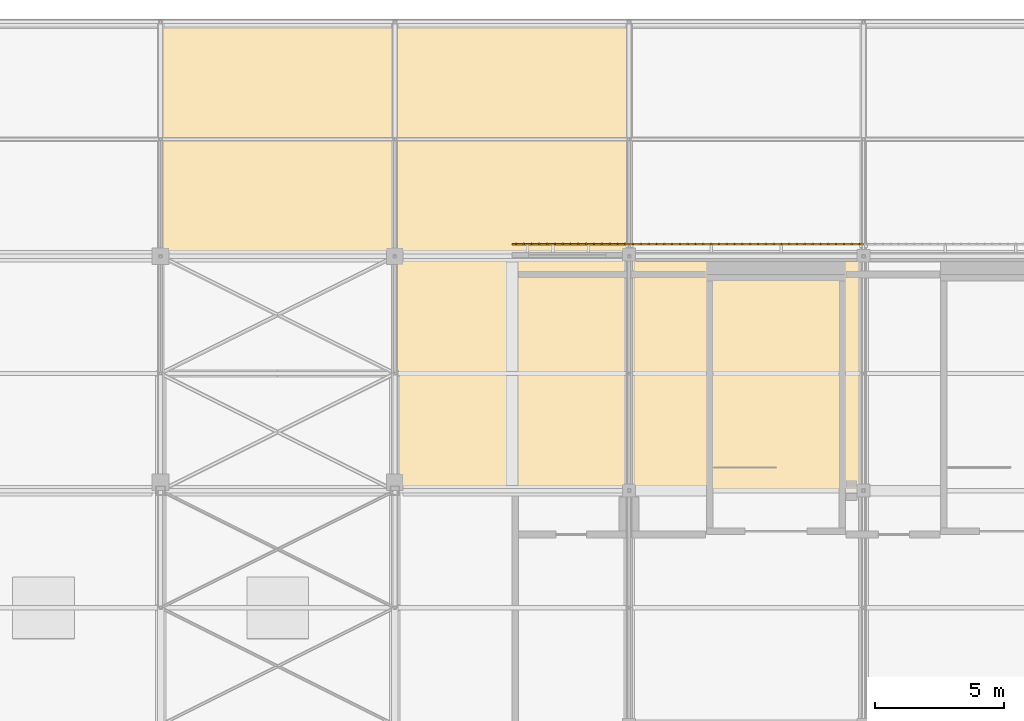
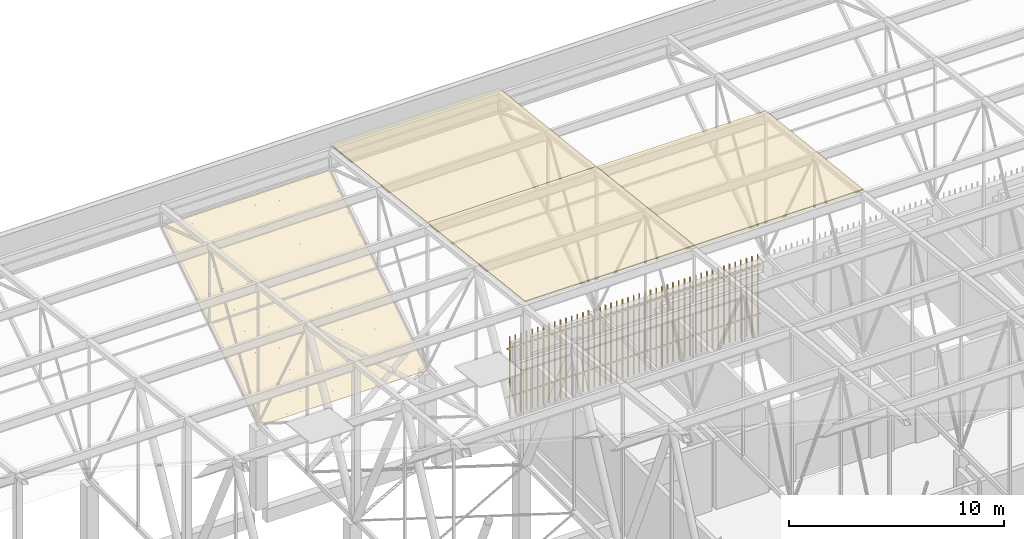
# One storey, part 482 of 500: 4 coverings, 2 shading devices.
"""IFC4 building model written with IfcOpenShell, lengths in metres."""

import ifcopenshell
import ifcopenshell.guid

model = None  # the IFC model being written
_history = None  # IfcOwnerHistory: only IFC2X3 demands one
_inside = {}  # id of a spatial element -> (the spatial element, [elements in it])
_under = {}  # id of a project, library or spatial element -> (it, [spatial elements below it])
_declared = {}  # id of a project -> (the project, [libraries it declares])
_typed = {}  # id of a type object -> (the type object, [elements of that type])
_made_of = {}  # id of a material, layer set ... -> (it, [elements and type objects made of it])


def new_model(schema):
    """Start an empty IFC model of exactly this schema.

    Asked for "IFC4X3", IfcOpenShell would pick the latest addendum, in which some entities
    have other attributes; the version numbers below select the first issue.
    IFC2X3 requires an IfcOwnerHistory on every rooted entity: one is made here for all.
    """
    global model, _history
    if schema == "IFC4X3":
        model = ifcopenshell.file(schema_version=(4, 3, 0, 0))
    else:
        model = ifcopenshell.file(schema=schema)
    _inside.clear()
    _under.clear()
    _declared.clear()
    _typed.clear()
    _made_of.clear()
    _history = None
    if model.schema == "IFC2X3":
        org = make("IfcOrganization", Name="unknown")
        user = make(
            "IfcPersonAndOrganization",
            ThePerson=make("IfcPerson", FamilyName="unknown"),
            TheOrganization=org,
        )
        app = make(
            "IfcApplication",
            ApplicationDeveloper=org,
            Version="unknown",
            ApplicationFullName="unknown",
            ApplicationIdentifier="unknown",
        )
        _history = make(
            "IfcOwnerHistory",
            OwningUser=user,
            OwningApplication=app,
            ChangeAction="ADDED",
            CreationDate=0,
        )
    return model


def make(cls, **values):
    """One entity of the class cls with the attributes given. An attribute that is None is left unset."""
    return model.create_entity(
        cls, **{name: value for name, value in values.items() if value is not None}
    )


def rooted(cls, **values):
    """An entity with a GlobalId (a new one), such as an element, a storey or a relation."""
    return make(cls, GlobalId=ifcopenshell.guid.new(), OwnerHistory=_history, **values)


def si_unit(unit_type, name, prefix=None):
    """IfcSIUnit, for example si_unit("LENGTHUNIT", "METRE", prefix="MILLI")."""
    return make("IfcSIUnit", UnitType=unit_type, Prefix=prefix, Name=name)


def assignment(units):
    """IfcUnitAssignment: the units of a project."""
    return None if units is None else make("IfcUnitAssignment", Units=units)


def point(xyz):
    """IfcCartesianPoint."""
    return None if xyz is None else make("IfcCartesianPoint", Coordinates=xyz)


def direction(xyz):
    """IfcDirection."""
    return None if xyz is None else make("IfcDirection", DirectionRatios=xyz)


def frame(location, z_axis=None, x_axis=None):
    """IfcAxis2Placement3D, a coordinate frame: its origin and axes. An axis left out is left unset."""
    return make(
        "IfcAxis2Placement3D",
        Location=point(location),
        Axis=direction(z_axis),
        RefDirection=direction(x_axis),
    )


def frame_2d(location, x_axis=None):
    """IfcAxis2Placement2D, a coordinate frame in the plane: its origin and x axis."""
    return make(
        "IfcAxis2Placement2D", Location=point(location), RefDirection=direction(x_axis)
    )


def origin():
    """The frame at (0, 0, 0) with its axes left unset."""
    return frame((0.0, 0.0, 0.0))


def origin_2d():
    """The frame at (0, 0) in the plane with its x axis left unset."""
    return frame_2d((0.0, 0.0))


def place(relative_to, where):
    """IfcLocalPlacement: puts the frame where relative to a parent placement (None: the world)."""
    return make(
        "IfcLocalPlacement", PlacementRelTo=relative_to, RelativePlacement=where
    )


def context(
    kind, dimensions, precision=None, world=None, true_north=None, identifier=None
):
    """IfcGeometricRepresentationContext, for example the 3D "Model" context."""
    return make(
        "IfcGeometricRepresentationContext",
        ContextIdentifier=identifier,
        ContextType=kind,
        CoordinateSpaceDimension=dimensions,
        Precision=precision,
        WorldCoordinateSystem=world,
        TrueNorth=true_north,
    )


def subcontext(parent, identifier, kind, view, scale=None):
    """IfcGeometricRepresentationSubContext, for example "Body" below "Model"."""
    return make(
        "IfcGeometricRepresentationSubContext",
        ContextIdentifier=identifier,
        ContextType=kind,
        ParentContext=parent,
        TargetScale=scale,
        TargetView=view,
    )


def project(units=None, contexts=None):
    """IfcProject with its units and contexts."""
    return rooted(
        "IfcProject",
        Name="project",
        RepresentationContexts=contexts,
        UnitsInContext=assignment(units),
    )


def spatial(cls, under=None, at=None, **own):
    """A site, building, storey or space (cls), placed at a placement, below another one or the project."""
    s = rooted(cls, ObjectPlacement=at, **own)
    if under is not None:
        _under.setdefault(under.id(), (under, []))[1].append(s)
    return s


def polyline(points):
    """IfcPolyline through the points."""
    return make("IfcPolyline", Points=[point(p) for p in points])


def profile(cls, at=None, kind="AREA", **sizes):
    """A parametric profile (cls). Its sizes go by their IFC names, for example OverallWidth=200.0."""
    return make(cls, ProfileType=kind, Position=at, **sizes)


def rectangle(**sizes):
    """IfcRectangleProfileDef."""
    return profile("IfcRectangleProfileDef", **sizes)


def outline(outer, holes=None, kind="AREA"):
    """IfcArbitraryClosedProfileDef: a profile drawn as a closed curve; with holes, ...WithVoids."""
    if holes is None:
        return make("IfcArbitraryClosedProfileDef", ProfileType=kind, OuterCurve=outer)
    return make(
        "IfcArbitraryProfileDefWithVoids",
        ProfileType=kind,
        OuterCurve=outer,
        InnerCurves=holes,
    )


def extrude(swept, where, along, depth):
    """IfcExtrudedAreaSolid: the profile swept, set in the frame where, extruded along a direction by depth."""
    return make(
        "IfcExtrudedAreaSolid",
        SweptArea=swept,
        Position=where,
        ExtrudedDirection=direction(along),
        Depth=depth,
    )


def shape(context_of_items, identifier, shape_type, items):
    """IfcShapeRepresentation: the items that make up one representation, for example the "Body"."""
    return make(
        "IfcShapeRepresentation",
        ContextOfItems=context_of_items,
        RepresentationIdentifier=identifier,
        RepresentationType=shape_type,
        Items=items,
    )


def material(Name=None, Category=None):
    """IfcMaterial."""
    return make("IfcMaterial", Name=Name, Category=Category)


def layer(
    of_material, thickness, ventilated=None, Name=None, Category=None, Priority=None
):
    """IfcMaterialLayer: one layer of a wall or slab, of a material (None: an air gap)."""
    return make(
        "IfcMaterialLayer",
        Material=of_material,
        LayerThickness=thickness,
        IsVentilated=ventilated,
        Name=Name,
        Category=Category,
        Priority=Priority,
    )


def layer_set(layers, Name=None):
    """IfcMaterialLayerSet."""
    return make("IfcMaterialLayerSet", MaterialLayers=layers, LayerSetName=Name)


def made_of(thing, what):
    """Note that an element or type object is made of a material, layer set ...; save() writes the relation."""
    if what is not None:
        _made_of.setdefault(what.id(), (what, []))[1].append(thing)
    return thing


def type_object(cls, material=None, **own):
    """A type object (cls), such as IfcWallType, which elements share."""
    return made_of(rooted(cls, **own), material)


def element(
    cls,
    number,
    at=None,
    inside=None,
    cuts=None,
    type_object=None,
    material=None,
    context=None,
    identifier="Body",
    shape_type=None,
    held_by="IfcProductDefinitionShape",
    body=None,
    shapes=None,
    **own,
):
    """One element of the class cls, such as IfcWall. Its Tag is "e" and its number.

    at: its placement. inside: the storey or other place that contains it. cuts: it is an
    opening in that element (IfcRelVoidsElement). A single representation is given by context,
    identifier, shape_type and body (its items); several are given by shapes. held_by: the class
    of the entity that holds the representations. save() writes the other relations.
    """
    e = rooted(cls, Tag="e%d" % number, ObjectPlacement=at, **own)
    if body is not None:
        shapes = [shape(context, identifier, shape_type, body)]
    if shapes is not None:
        e.Representation = make(held_by, Representations=shapes)
    if inside is not None:
        _inside.setdefault(inside.id(), (inside, []))[1].append(e)
    if cuts is not None:
        rooted(
            "IfcRelVoidsElement", RelatingBuildingElement=cuts, RelatedOpeningElement=e
        )
    if type_object is not None:
        _typed.setdefault(type_object.id(), (type_object, []))[1].append(e)
    return made_of(e, material)


def aggregate(whole, parts):
    """IfcRelAggregates: a whole, such as a stair, and the parts it consists of."""
    return rooted("IfcRelAggregates", RelatingObject=whole, RelatedObjects=parts)


def save(model, path):
    """Write the relations noted so far, then the file.

    IfcRelAggregates (storeys below a building ...), IfcRelContainedInSpatialStructure (elements
    in a storey), IfcRelDefinesByType, IfcRelAssociatesMaterial and IfcRelDeclares: one each for
    every whole, place, type object, material and project.
    """
    for whole, parts in _under.values():
        aggregate(whole, parts)
    for where, things in _inside.values():
        rooted(
            "IfcRelContainedInSpatialStructure",
            RelatedElements=things,
            RelatingStructure=where,
        )
    for kind, things in _typed.values():
        rooted("IfcRelDefinesByType", RelatedObjects=things, RelatingType=kind)
    for what, things in _made_of.values():
        rooted("IfcRelAssociatesMaterial", RelatedObjects=things, RelatingMaterial=what)
    for by, libraries in _declared.values():
        rooted("IfcRelDeclares", RelatingContext=by, RelatedDefinitions=libraries)
    model.write(path)


model = new_model("IFC4")

# Units and contexts
model_context = context("Model", 3, precision=1e-05, world=origin(), true_north=direction((0.0, 1.0)))
body_context = subcontext(model_context, "Body", "Model", "MODEL_VIEW")
ifc_project = project(units=[si_unit("LENGTHUNIT", "METRE"), si_unit("AREAUNIT", "SQUARE_METRE"), si_unit("VOLUMEUNIT", "CUBIC_METRE"), si_unit("PLANEANGLEUNIT", "RADIAN"), si_unit("MASSUNIT", "GRAM", prefix="KILO")], contexts=[model_context])

# Site, building, storey
site_placement = place(None, origin())
site = spatial("IfcSite", under=ifc_project, at=site_placement, CompositionType="ELEMENT")
building_placement = place(site_placement, origin())
building = spatial("IfcBuilding", under=site, at=building_placement, Name="Shirokan Park Arena", CompositionType="ELEMENT")
storey_placement = place(building_placement, frame((0.0, 0.0, 29.1201171875)))
storey = spatial("IfcBuildingStorey", under=building, at=storey_placement, Name="L06", CompositionType="ELEMENT", Elevation=29.1201171875)

# Coverings
ifc_material_1 = material(Name="Bituminous roofing membrane")
ifc_layer_1 = layer(ifc_material_1, 0.010009765625, Name="Bituminous roofing membrane")
ifc_material_2 = material(Name="Mineral wool insulation")
ifc_layer_2 = layer(ifc_material_2, 0.050048828125, Name="Mineral wool insulation")
ifc_layer_set_1 = layer_set([ifc_layer_1, ifc_layer_2], Name="Bituminous roofing membrane + Mineral wool insulation")
covering_type_1 = type_object("IfcCoveringType", Name="Roofing membrane 60", PredefinedType="ROOFING", material=ifc_layer_set_1)
covering_1_placement = place(storey_placement, frame((100.10009765625, 100.10009765625, 13.970703125), z_axis=(0.0, 0.113552605302, 0.993531985308), x_axis=(1.0, 0.0, 0.0)))
element("IfcCovering", 1, at=covering_1_placement, inside=storey, type_object=covering_type_1, Name="Roofing", PredefinedType="ROOFING", context=body_context, shape_type="SweptSolid", body=[
    extrude(outline(polyline([(0.0, 0.0), (9.099853515625, 0.0), (9.099853515625, 9.159094674549365), (0.0, 9.159094674549365), (0.0, 0.0)])), origin(), (0.0, 0.0, -1.0), 0.06005859375),
])
covering_2_placement = place(storey_placement, frame((100.10009765625, 109.199951171875, 12.9306640625), z_axis=(0.0, 0.113549598152, 0.993532328996), x_axis=(1.0, 0.0, 0.0)))
element("IfcCovering", 2, at=covering_2_placement, inside=storey, type_object=covering_type_1, Name="Roofing", PredefinedType="ROOFING", context=body_context, shape_type="SweptSolid", body=[
    extrude(outline(polyline([(0.0, 0.0), (9.099853515625, 0.0), (9.099853515625, 9.15933723611117), (0.0, 9.15933723611117), (0.0, 0.0)])), origin(), (0.0, 0.0, -1.0), 0.06005859375),
])
covering_3_placement = place(storey_placement, frame((109.199951171875, 100.10009765625, 13.970703125), z_axis=(0.0, 0.113552605302, 0.993531985308), x_axis=(1.0, 0.0, 0.0)))
element("IfcCovering", 3, at=covering_3_placement, inside=storey, type_object=covering_type_1, Name="Roofing", PredefinedType="ROOFING", context=body_context, shape_type="SweptSolid", body=[
    extrude(outline(polyline([(0.0, 0.0), (9.10009765625, 0.0), (9.10009765625, 9.159094674549367), (0.0, 9.159094674549367), (0.0, 0.0)])), origin(), (0.0, 0.0, -1.0), 0.06005859375),
])
ifc_material_3 = material(Name="Timber soffit boards (cedar)", Category="wood")
ifc_layer_3 = layer(ifc_material_3, 0.030029296875)
ifc_layer_set_2 = layer_set([ifc_layer_3], Name="Timber soffit boards (cedar) 30 mm")
covering_type_2 = type_object("IfcCoveringType", Name="Timber boarded soffit panel", PredefinedType="CLADDING", material=ifc_layer_set_2)
covering_4_placement = place(storey_placement, origin())
element("IfcCovering", 4, at=covering_4_placement, inside=storey, type_object=covering_type_2, Name="Eave soffit north bay 11", PredefinedType="CLADDING", context=body_context, shape_type="SweptSolid", body=[
    extrude(outline(polyline([(0.0, 0.0), (0.1426933218479331, 0.0), (0.1426933218479331, -9.099999999999996), (0.0, -9.099999999999996), (0.0, 0.0)])), frame((100.10009765625, 109.320068359375, 4.60302734375), z_axis=(0.0, -0.541090493936, 0.840964373426), x_axis=(0.0, -0.840964373426, -0.541090493936)), (0.0, 0.0, -1.0), 0.030029296875),
    extrude(outline(polyline([(0.0, 0.0), (0.1426933218479331, 0.0), (0.1426933218479331, -9.099999999999996), (0.0, -9.099999999999996), (0.0, 0.0)])), frame((91.0, 118.179931640625, 10.3037109375), z_axis=(0.0, -0.541090493936, 0.840964373426), x_axis=(0.0, 0.840964373426, 0.541090493936)), (0.0, 0.0, -1.0), 0.030029296875),
    extrude(outline(polyline([(0.0, 0.0), (0.11999999999999034, 0.0), (0.11999999999999034, -10.535473996759718), (0.0, -10.535473996759718), (0.0, 0.0)])), frame((100.10009765625, 109.320068359375, 4.60302734375), z_axis=(0.0, -0.541084340558, 0.84096833258), x_axis=(-1.0, 0.0, 0.0)), (0.0, 0.0, -1.0), 0.030029296875),
    extrude(outline(polyline([(0.0, 0.0), (0.12000000000000455, 0.0), (0.12000000000000455, -10.535473996759716), (0.0, -10.535473996759716), (0.0, 0.0)])), frame((91.0, 118.179931640625, 10.3037109375), z_axis=(0.0, -0.541084340558, 0.84096833258), x_axis=(1.0, 0.0, 0.0)), (0.0, 0.0, -1.0), 0.030029296875),
    extrude(outline(polyline([(0.0, 0.0), (10.53547399675972, 0.0), (10.53547399675972, -0.183329999999998), (0.0, -0.183329999999998), (0.0, 0.0)])), frame((91.30322265625, 118.179931640625, 10.3037109375), z_axis=(0.0, -0.541084340558, 0.84096833258), x_axis=(0.0, -0.84096833258, -0.541084340558)), (0.0, 0.0, -1.0), 0.030029296875),
    extrude(outline(polyline([(0.0, 0.0), (10.53547399675972, 0.0), (10.53547399675972, -0.3033399999999915), (0.0, -0.3033399999999915), (0.0, 0.0)])), frame((91.606689453125, 118.179931640625, 10.3037109375), z_axis=(0.0, -0.541084340558, 0.84096833258), x_axis=(0.0, -0.84096833258, -0.541084340558)), (0.0, 0.0, -1.0), 0.030029296875),
    extrude(outline(polyline([(0.0, 0.0), (10.535473996759718, 0.0), (10.535473996759718, -0.30333000000000254), (0.0, -0.30333000000000254), (0.0, 0.0)])), frame((91.909912109375, 118.179931640625, 10.3037109375), z_axis=(0.0, -0.541084340558, 0.84096833258), x_axis=(0.0, -0.84096833258, -0.541084340558)), (0.0, 0.0, -1.0), 0.030029296875),
    extrude(outline(polyline([(0.0, 0.0), (10.535473996759718, 0.0), (10.535473996759718, -0.30333000000000254), (0.0, -0.30333000000000254), (0.0, 0.0)])), frame((92.21337890625, 118.179931640625, 10.3037109375), z_axis=(0.0, -0.541084340558, 0.84096833258), x_axis=(0.0, -0.84096833258, -0.541084340558)), (0.0, 0.0, -1.0), 0.030029296875),
    extrude(outline(polyline([(0.0, 0.0), (10.535473996759718, 0.0), (10.535473996759718, -0.3033400000000057), (0.0, -0.3033400000000057), (0.0, 0.0)])), frame((92.5166015625, 118.179931640625, 10.3037109375), z_axis=(0.0, -0.541084340558, 0.84096833258), x_axis=(0.0, -0.84096833258, -0.541084340558)), (0.0, 0.0, -1.0), 0.030029296875),
    extrude(outline(polyline([(0.0, 0.0), (10.535473996759718, 0.0), (10.535473996759718, -0.30332999999998833), (0.0, -0.30332999999998833), (0.0, 0.0)])), frame((92.820068359375, 118.179931640625, 10.3037109375), z_axis=(0.0, -0.541084340558, 0.84096833258), x_axis=(0.0, -0.84096833258, -0.541084340558)), (0.0, 0.0, -1.0), 0.030029296875),
    extrude(outline(polyline([(0.0, 0.0), (10.535473996759718, 0.0), (10.535473996759718, -0.30333000000000254), (0.0, -0.30333000000000254), (0.0, 0.0)])), frame((93.123291015625, 118.179931640625, 10.3037109375), z_axis=(0.0, -0.541084340558, 0.84096833258), x_axis=(0.0, -0.84096833258, -0.541084340558)), (0.0, 0.0, -1.0), 0.030029296875),
    extrude(outline(polyline([(0.0, 0.0), (10.535473996759718, 0.0), (10.535473996759718, -0.3033400000000057), (0.0, -0.3033400000000057), (0.0, 0.0)])), frame((93.4267578125, 118.179931640625, 10.3037109375), z_axis=(0.0, -0.541084340558, 0.84096833258), x_axis=(0.0, -0.84096833258, -0.541084340558)), (0.0, 0.0, -1.0), 0.030029296875),
    extrude(outline(polyline([(0.0, 0.0), (10.535473996759718, 0.0), (10.535473996759718, -0.30333000000000254), (0.0, -0.30333000000000254), (0.0, 0.0)])), frame((93.72998046875, 118.179931640625, 10.3037109375), z_axis=(0.0, -0.541084340558, 0.84096833258), x_axis=(0.0, -0.84096833258, -0.541084340558)), (0.0, 0.0, -1.0), 0.030029296875),
    extrude(outline(polyline([(0.0, 0.0), (10.535473996759718, 0.0), (10.535473996759718, -0.30333000000000254), (0.0, -0.30333000000000254), (0.0, 0.0)])), frame((94.033447265625, 118.179931640625, 10.3037109375), z_axis=(0.0, -0.541084340558, 0.84096833258), x_axis=(0.0, -0.84096833258, -0.541084340558)), (0.0, 0.0, -1.0), 0.030029296875),
    extrude(outline(polyline([(0.0, 0.0), (10.53547399675972, 0.0), (10.53547399675972, -0.30333999999999156), (0.0, -0.30333999999999156), (0.0, 0.0)])), frame((94.336669921875, 118.179931640625, 10.3037109375), z_axis=(0.0, -0.541084340558, 0.84096833258), x_axis=(0.0, -0.84096833258, -0.541084340558)), (0.0, 0.0, -1.0), 0.030029296875),
    extrude(outline(polyline([(0.0, 0.0), (10.535473996759718, 0.0), (10.535473996759718, -0.30333000000000254), (0.0, -0.30333000000000254), (0.0, 0.0)])), frame((94.639892578125, 118.179931640625, 10.3037109375), z_axis=(0.0, -0.541084340558, 0.84096833258), x_axis=(0.0, -0.84096833258, -0.541084340558)), (0.0, 0.0, -1.0), 0.030029296875),
    extrude(outline(polyline([(0.0, 0.0), (10.535473996759718, 0.0), (10.535473996759718, -0.30333000000000254), (0.0, -0.30333000000000254), (0.0, 0.0)])), frame((94.943359375, 118.179931640625, 10.3037109375), z_axis=(0.0, -0.541084340558, 0.84096833258), x_axis=(0.0, -0.84096833258, -0.541084340558)), (0.0, 0.0, -1.0), 0.030029296875),
    extrude(outline(polyline([(0.0, 0.0), (10.53547399675972, 0.0), (10.53547399675972, -0.3033399999999915), (0.0, -0.3033399999999915), (0.0, 0.0)])), frame((95.24658203125, 118.179931640625, 10.3037109375), z_axis=(0.0, -0.541084340558, 0.84096833258), x_axis=(0.0, -0.84096833258, -0.541084340558)), (0.0, 0.0, -1.0), 0.030029296875),
    extrude(outline(polyline([(0.0, 0.0), (10.535473996759718, 0.0), (10.535473996759718, -0.30333000000000254), (0.0, -0.30333000000000254), (0.0, 0.0)])), frame((95.550048828125, 118.179931640625, 10.3037109375), z_axis=(0.0, -0.541084340558, 0.84096833258), x_axis=(0.0, -0.84096833258, -0.541084340558)), (0.0, 0.0, -1.0), 0.030029296875),
    extrude(outline(polyline([(0.0, 0.0), (10.535473996759718, 0.0), (10.535473996759718, -0.30333000000000254), (0.0, -0.30333000000000254), (0.0, 0.0)])), frame((95.853271484375, 118.179931640625, 10.3037109375), z_axis=(0.0, -0.541084340558, 0.84096833258), x_axis=(0.0, -0.84096833258, -0.541084340558)), (0.0, 0.0, -1.0), 0.030029296875),
    extrude(outline(polyline([(0.0, 0.0), (10.535473996759718, 0.0), (10.535473996759718, -0.3033400000000057), (0.0, -0.3033400000000057), (0.0, 0.0)])), frame((96.15673828125, 118.179931640625, 10.3037109375), z_axis=(0.0, -0.541084340558, 0.84096833258), x_axis=(0.0, -0.84096833258, -0.541084340558)), (0.0, 0.0, -1.0), 0.030029296875),
    extrude(outline(polyline([(0.0, 0.0), (10.535473996759718, 0.0), (10.535473996759718, -0.30332999999998833), (0.0, -0.30332999999998833), (0.0, 0.0)])), frame((96.4599609375, 118.179931640625, 10.3037109375), z_axis=(0.0, -0.541084340558, 0.84096833258), x_axis=(0.0, -0.84096833258, -0.541084340558)), (0.0, 0.0, -1.0), 0.030029296875),
    extrude(outline(polyline([(0.0, 0.0), (10.535473996759718, 0.0), (10.535473996759718, -0.30333000000000254), (0.0, -0.30333000000000254), (0.0, 0.0)])), frame((96.763427734375, 118.179931640625, 10.3037109375), z_axis=(0.0, -0.541084340558, 0.84096833258), x_axis=(0.0, -0.84096833258, -0.541084340558)), (0.0, 0.0, -1.0), 0.030029296875),
    extrude(outline(polyline([(0.0, 0.0), (10.535473996759718, 0.0), (10.535473996759718, -0.3033400000000057), (0.0, -0.3033400000000057), (0.0, 0.0)])), frame((97.066650390625, 118.179931640625, 10.3037109375), z_axis=(0.0, -0.541084340558, 0.84096833258), x_axis=(0.0, -0.84096833258, -0.541084340558)), (0.0, 0.0, -1.0), 0.030029296875),
    extrude(outline(polyline([(0.0, 0.0), (10.535473996759718, 0.0), (10.535473996759718, -0.30333000000000254), (0.0, -0.30333000000000254), (0.0, 0.0)])), frame((97.3701171875, 118.179931640625, 10.3037109375), z_axis=(0.0, -0.541084340558, 0.84096833258), x_axis=(0.0, -0.84096833258, -0.541084340558)), (0.0, 0.0, -1.0), 0.030029296875),
    extrude(outline(polyline([(0.0, 0.0), (10.535473996759718, 0.0), (10.535473996759718, -0.30333000000000254), (0.0, -0.30333000000000254), (0.0, 0.0)])), frame((97.67333984375, 118.179931640625, 10.3037109375), z_axis=(0.0, -0.541084340558, 0.84096833258), x_axis=(0.0, -0.84096833258, -0.541084340558)), (0.0, 0.0, -1.0), 0.030029296875),
    extrude(outline(polyline([(0.0, 0.0), (10.53547399675972, 0.0), (10.53547399675972, -0.3033399999999915), (0.0, -0.3033399999999915), (0.0, 0.0)])), frame((97.9765625, 118.179931640625, 10.3037109375), z_axis=(0.0, -0.541084340558, 0.84096833258), x_axis=(0.0, -0.84096833258, -0.541084340558)), (0.0, 0.0, -1.0), 0.030029296875),
    extrude(outline(polyline([(0.0, 0.0), (10.535473996759718, 0.0), (10.535473996759718, -0.30333000000000254), (0.0, -0.30333000000000254), (0.0, 0.0)])), frame((98.280029296875, 118.179931640625, 10.3037109375), z_axis=(0.0, -0.541084340558, 0.84096833258), x_axis=(0.0, -0.84096833258, -0.541084340558)), (0.0, 0.0, -1.0), 0.030029296875),
    extrude(outline(polyline([(0.0, 0.0), (10.535473996759718, 0.0), (10.535473996759718, -0.30333000000000254), (0.0, -0.30333000000000254), (0.0, 0.0)])), frame((98.583251953125, 118.179931640625, 10.3037109375), z_axis=(0.0, -0.541084340558, 0.84096833258), x_axis=(0.0, -0.84096833258, -0.541084340558)), (0.0, 0.0, -1.0), 0.030029296875),
    extrude(outline(polyline([(0.0, 0.0), (10.53547399675972, 0.0), (10.53547399675972, -0.3033399999999915), (0.0, -0.3033399999999915), (0.0, 0.0)])), frame((98.88671875, 118.179931640625, 10.3037109375), z_axis=(0.0, -0.541084340558, 0.84096833258), x_axis=(0.0, -0.84096833258, -0.541084340558)), (0.0, 0.0, -1.0), 0.030029296875),
    extrude(outline(polyline([(0.0, 0.0), (10.535473996759718, 0.0), (10.535473996759718, -0.30333000000000254), (0.0, -0.30333000000000254), (0.0, 0.0)])), frame((99.18994140625, 118.179931640625, 10.3037109375), z_axis=(0.0, -0.541084340558, 0.84096833258), x_axis=(0.0, -0.84096833258, -0.541084340558)), (0.0, 0.0, -1.0), 0.030029296875),
    extrude(outline(polyline([(0.0, 0.0), (10.535473996759718, 0.0), (10.535473996759718, -0.30333000000000254), (0.0, -0.30333000000000254), (0.0, 0.0)])), frame((99.493408203125, 118.179931640625, 10.3037109375), z_axis=(0.0, -0.541084340558, 0.84096833258), x_axis=(0.0, -0.84096833258, -0.541084340558)), (0.0, 0.0, -1.0), 0.030029296875),
    extrude(outline(polyline([(0.0, 0.0), (10.535473996759718, 0.0), (10.535473996759718, -0.3033400000000057), (0.0, -0.3033400000000057), (0.0, 0.0)])), frame((99.796630859375, 118.179931640625, 10.3037109375), z_axis=(0.0, -0.541084340558, 0.84096833258), x_axis=(0.0, -0.84096833258, -0.541084340558)), (0.0, 0.0, -1.0), 0.030029296875),
    extrude(outline(polyline([(0.0, 0.0), (10.53547399675972, 0.0), (10.53547399675972, -0.183329999999998), (0.0, -0.183329999999998), (0.0, 0.0)])), frame((99.97998046875, 118.179931640625, 10.3037109375), z_axis=(0.0, -0.541084340558, 0.84096833258), x_axis=(0.0, -0.84096833258, -0.541084340558)), (0.0, 0.0, -1.0), 0.030029296875),
])

# Shading devices
ifc_material_4 = material(Name="Timber louvre veil (cedar)", Category="wood")
shading_device_type = type_object("IfcShadingDeviceType", Name="Timber louvre veil panel", PredefinedType="JALOUSIE", material=ifc_material_4)
shading_device_1_placement = place(storey_placement, origin())
element("IfcShadingDevice", 5, at=shading_device_1_placement, inside=storey, type_object=shading_device_type, Name="Timber louvre veil north bay 4 L06", PredefinedType="JALOUSIE", context=body_context, shape_type="SweptSolid", body=[
    extrude(rectangle(XDim=0.050048828125, YDim=0.080078125, at=origin_2d()), frame((118.1484375, 109.68505859375, 0.0), z_axis=(0.0, 0.0, 1.0), x_axis=(-1.0, 0.0, 0.0)), (0.0, 0.0, 1.0), 4.5),
    extrude(rectangle(XDim=0.050048828125, YDim=0.080078125, at=origin_2d()), frame((117.844970703125, 109.68505859375, 0.0), z_axis=(0.0, 0.0, 1.0), x_axis=(-1.0, 0.0, 0.0)), (0.0, 0.0, 1.0), 4.5),
    extrude(rectangle(XDim=0.050048828125, YDim=0.080078125, at=origin_2d()), frame((117.541748046875, 109.68505859375, 0.0), z_axis=(0.0, 0.0, 1.0), x_axis=(-1.0, 0.0, 0.0)), (0.0, 0.0, 1.0), 4.5),
    extrude(rectangle(XDim=0.050048828125, YDim=0.080078125, at=origin_2d()), frame((117.23828125, 109.68505859375, 0.0), z_axis=(0.0, 0.0, 1.0), x_axis=(-1.0, 0.0, 0.0)), (0.0, 0.0, 1.0), 4.5),
    extrude(rectangle(XDim=0.050048828125, YDim=0.080078125, at=origin_2d()), frame((116.93505859375, 109.68505859375, 0.0), z_axis=(0.0, 0.0, 1.0), x_axis=(-1.0, 0.0, 0.0)), (0.0, 0.0, 1.0), 4.5),
    extrude(rectangle(XDim=0.050048828125, YDim=0.080078125, at=origin_2d()), frame((116.631591796875, 109.68505859375, 0.0), z_axis=(0.0, 0.0, 1.0), x_axis=(-1.0, 0.0, 0.0)), (0.0, 0.0, 1.0), 4.5),
    extrude(rectangle(XDim=0.050048828125, YDim=0.080078125, at=origin_2d()), frame((116.328369140625, 109.68505859375, 0.0), z_axis=(0.0, 0.0, 1.0), x_axis=(-1.0, 0.0, 0.0)), (0.0, 0.0, 1.0), 4.5),
    extrude(rectangle(XDim=0.050048828125, YDim=0.080078125, at=origin_2d()), frame((116.02490234375, 109.68505859375, 0.0), z_axis=(0.0, 0.0, 1.0), x_axis=(-1.0, 0.0, 0.0)), (0.0, 0.0, 1.0), 4.5),
    extrude(rectangle(XDim=0.050048828125, YDim=0.080078125, at=origin_2d()), frame((115.7216796875, 109.68505859375, 0.0), z_axis=(0.0, 0.0, 1.0), x_axis=(-1.0, 0.0, 0.0)), (0.0, 0.0, 1.0), 4.5),
    extrude(rectangle(XDim=0.050048828125, YDim=0.080078125, at=origin_2d()), frame((115.418212890625, 109.68505859375, 0.0), z_axis=(0.0, 0.0, 1.0), x_axis=(-1.0, 0.0, 0.0)), (0.0, 0.0, 1.0), 4.5),
    extrude(rectangle(XDim=0.050048828125, YDim=0.080078125, at=origin_2d()), frame((115.114990234375, 109.68505859375, 0.0), z_axis=(0.0, 0.0, 1.0), x_axis=(-1.0, 0.0, 0.0)), (0.0, 0.0, 1.0), 4.5),
    extrude(rectangle(XDim=0.050048828125, YDim=0.080078125, at=origin_2d()), frame((114.811767578125, 109.68505859375, 0.0), z_axis=(0.0, 0.0, 1.0), x_axis=(-1.0, 0.0, 0.0)), (0.0, 0.0, 1.0), 4.5),
    extrude(rectangle(XDim=0.050048828125, YDim=0.080078125, at=origin_2d()), frame((114.50830078125, 109.68505859375, 0.0), z_axis=(0.0, 0.0, 1.0), x_axis=(-1.0, 0.0, 0.0)), (0.0, 0.0, 1.0), 4.5),
    extrude(rectangle(XDim=0.050048828125, YDim=0.080078125, at=origin_2d()), frame((114.205078125, 109.68505859375, 0.0), z_axis=(0.0, 0.0, 1.0), x_axis=(-1.0, 0.0, 0.0)), (0.0, 0.0, 1.0), 4.5),
    extrude(rectangle(XDim=0.050048828125, YDim=0.080078125, at=origin_2d()), frame((113.901611328125, 109.68505859375, 0.0), z_axis=(0.0, 0.0, 1.0), x_axis=(-1.0, 0.0, 0.0)), (0.0, 0.0, 1.0), 4.5),
    extrude(rectangle(XDim=0.050048828125, YDim=0.080078125, at=origin_2d()), frame((113.598388671875, 109.68505859375, 0.0), z_axis=(0.0, 0.0, 1.0), x_axis=(-1.0, 0.0, 0.0)), (0.0, 0.0, 1.0), 4.5),
    extrude(rectangle(XDim=0.050048828125, YDim=0.080078125, at=origin_2d()), frame((113.294921875, 109.68505859375, 0.0), z_axis=(0.0, 0.0, 1.0), x_axis=(-1.0, 0.0, 0.0)), (0.0, 0.0, 1.0), 4.5),
    extrude(rectangle(XDim=0.050048828125, YDim=0.080078125, at=origin_2d()), frame((112.99169921875, 109.68505859375, 0.0), z_axis=(0.0, 0.0, 1.0), x_axis=(-1.0, 0.0, 0.0)), (0.0, 0.0, 1.0), 4.5),
    extrude(rectangle(XDim=0.050048828125, YDim=0.080078125, at=origin_2d()), frame((112.688232421875, 109.68505859375, 0.0), z_axis=(0.0, 0.0, 1.0), x_axis=(-1.0, 0.0, 0.0)), (0.0, 0.0, 1.0), 4.5),
    extrude(rectangle(XDim=0.050048828125, YDim=0.080078125, at=origin_2d()), frame((112.385009765625, 109.68505859375, 0.0), z_axis=(0.0, 0.0, 1.0), x_axis=(-1.0, 0.0, 0.0)), (0.0, 0.0, 1.0), 4.5),
    extrude(rectangle(XDim=0.050048828125, YDim=0.080078125, at=origin_2d()), frame((112.081787109375, 109.68505859375, 0.0), z_axis=(0.0, 0.0, 1.0), x_axis=(-1.0, 0.0, 0.0)), (0.0, 0.0, 1.0), 4.5),
    extrude(rectangle(XDim=0.050048828125, YDim=0.080078125, at=origin_2d()), frame((111.7783203125, 109.68505859375, 0.0), z_axis=(0.0, 0.0, 1.0), x_axis=(-1.0, 0.0, 0.0)), (0.0, 0.0, 1.0), 4.5),
    extrude(rectangle(XDim=0.050048828125, YDim=0.080078125, at=origin_2d()), frame((111.47509765625, 109.68505859375, 0.0), z_axis=(0.0, 0.0, 1.0), x_axis=(-1.0, 0.0, 0.0)), (0.0, 0.0, 1.0), 4.5),
    extrude(rectangle(XDim=0.050048828125, YDim=0.080078125, at=origin_2d()), frame((111.171630859375, 109.68505859375, 0.0), z_axis=(0.0, 0.0, 1.0), x_axis=(-1.0, 0.0, 0.0)), (0.0, 0.0, 1.0), 4.5),
    extrude(rectangle(XDim=0.050048828125, YDim=0.080078125, at=origin_2d()), frame((110.868408203125, 109.68505859375, 0.0), z_axis=(0.0, 0.0, 1.0), x_axis=(-1.0, 0.0, 0.0)), (0.0, 0.0, 1.0), 4.5),
    extrude(rectangle(XDim=0.050048828125, YDim=0.080078125, at=origin_2d()), frame((110.56494140625, 109.68505859375, 0.0), z_axis=(0.0, 0.0, 1.0), x_axis=(-1.0, 0.0, 0.0)), (0.0, 0.0, 1.0), 4.5),
    extrude(rectangle(XDim=0.050048828125, YDim=0.080078125, at=origin_2d()), frame((110.26171875, 109.68505859375, 0.0), z_axis=(0.0, 0.0, 1.0), x_axis=(-1.0, 0.0, 0.0)), (0.0, 0.0, 1.0), 4.5),
    extrude(rectangle(XDim=0.050048828125, YDim=0.080078125, at=origin_2d()), frame((109.958251953125, 109.68505859375, 0.0), z_axis=(0.0, 0.0, 1.0), x_axis=(-1.0, 0.0, 0.0)), (0.0, 0.0, 1.0), 4.5),
    extrude(rectangle(XDim=0.050048828125, YDim=0.080078125, at=origin_2d()), frame((109.655029296875, 109.68505859375, 0.0), z_axis=(0.0, 0.0, 1.0), x_axis=(-1.0, 0.0, 0.0)), (0.0, 0.0, 1.0), 4.5),
    extrude(rectangle(XDim=0.050048828125, YDim=0.080078125, at=origin_2d()), frame((109.3515625, 109.68505859375, 0.0), z_axis=(0.0, 0.0, 1.0), x_axis=(-1.0, 0.0, 0.0)), (0.0, 0.0, 1.0), 4.5),
    extrude(rectangle(XDim=9.10009765625, YDim=0.050048828125, at=origin_2d()), frame((113.75, 109.669921875, 1.059814453125), z_axis=(0.0, 0.0, 1.0), x_axis=(-1.0, 0.0, 0.0)), (0.0, 0.0, 1.0), 0.080078125),
    extrude(rectangle(XDim=9.10009765625, YDim=0.050048828125, at=origin_2d()), frame((113.75, 109.669921875, 3.809814453125), z_axis=(0.0, 0.0, 1.0), x_axis=(-1.0, 0.0, 0.0)), (0.0, 0.0, 1.0), 0.080078125),
])
shading_device_2_placement = place(storey_placement, origin())
element("IfcShadingDevice", 6, at=shading_device_2_placement, inside=storey, type_object=shading_device_type, Name="Timber louvre veil north bay 5 L06", PredefinedType="JALOUSIE", context=body_context, shape_type="SweptSolid", body=[
    extrude(rectangle(XDim=0.050048828125, YDim=0.080078125, at=origin_2d()), frame((109.04833984375, 109.68505859375, 0.0), z_axis=(0.0, 0.0, 1.0), x_axis=(-1.0, 0.0, 0.0)), (0.0, 0.0, 1.0), 4.5),
    extrude(rectangle(XDim=0.050048828125, YDim=0.080078125, at=origin_2d()), frame((108.7451171875, 109.68505859375, 0.0), z_axis=(0.0, 0.0, 1.0), x_axis=(-1.0, 0.0, 0.0)), (0.0, 0.0, 1.0), 4.5),
    extrude(rectangle(XDim=0.050048828125, YDim=0.080078125, at=origin_2d()), frame((108.441650390625, 109.68505859375, 0.0), z_axis=(0.0, 0.0, 1.0), x_axis=(-1.0, 0.0, 0.0)), (0.0, 0.0, 1.0), 4.5),
    extrude(rectangle(XDim=0.050048828125, YDim=0.080078125, at=origin_2d()), frame((108.138427734375, 109.68505859375, 0.0), z_axis=(0.0, 0.0, 1.0), x_axis=(-1.0, 0.0, 0.0)), (0.0, 0.0, 1.0), 4.5),
    extrude(rectangle(XDim=0.050048828125, YDim=0.080078125, at=origin_2d()), frame((107.8349609375, 109.68505859375, 0.0), z_axis=(0.0, 0.0, 1.0), x_axis=(-1.0, 0.0, 0.0)), (0.0, 0.0, 1.0), 4.5),
    extrude(rectangle(XDim=0.050048828125, YDim=0.080078125, at=origin_2d()), frame((107.53173828125, 109.68505859375, 0.0), z_axis=(0.0, 0.0, 1.0), x_axis=(-1.0, 0.0, 0.0)), (0.0, 0.0, 1.0), 4.5),
    extrude(rectangle(XDim=0.050048828125, YDim=0.080078125, at=origin_2d()), frame((107.228271484375, 109.68505859375, 0.0), z_axis=(0.0, 0.0, 1.0), x_axis=(-1.0, 0.0, 0.0)), (0.0, 0.0, 1.0), 4.5),
    extrude(rectangle(XDim=0.050048828125, YDim=0.080078125, at=origin_2d()), frame((106.925048828125, 109.68505859375, 0.0), z_axis=(0.0, 0.0, 1.0), x_axis=(-1.0, 0.0, 0.0)), (0.0, 0.0, 1.0), 4.5),
    extrude(rectangle(XDim=0.050048828125, YDim=0.080078125, at=origin_2d()), frame((106.62158203125, 109.68505859375, 0.0), z_axis=(0.0, 0.0, 1.0), x_axis=(-1.0, 0.0, 0.0)), (0.0, 0.0, 1.0), 4.5),
    extrude(rectangle(XDim=0.050048828125, YDim=0.080078125, at=origin_2d()), frame((106.318359375, 109.68505859375, 0.0), z_axis=(0.0, 0.0, 1.0), x_axis=(-1.0, 0.0, 0.0)), (0.0, 0.0, 1.0), 4.5),
    extrude(rectangle(XDim=0.050048828125, YDim=0.080078125, at=origin_2d()), frame((106.014892578125, 109.68505859375, 0.0), z_axis=(0.0, 0.0, 1.0), x_axis=(-1.0, 0.0, 0.0)), (0.0, 0.0, 1.0), 4.5),
    extrude(rectangle(XDim=0.050048828125, YDim=0.080078125, at=origin_2d()), frame((105.711669921875, 109.68505859375, 0.0), z_axis=(0.0, 0.0, 1.0), x_axis=(-1.0, 0.0, 0.0)), (0.0, 0.0, 1.0), 4.5),
    extrude(rectangle(XDim=0.050048828125, YDim=0.080078125, at=origin_2d()), frame((105.408447265625, 109.68505859375, 0.0), z_axis=(0.0, 0.0, 1.0), x_axis=(-1.0, 0.0, 0.0)), (0.0, 0.0, 1.0), 4.5),
    extrude(rectangle(XDim=0.050048828125, YDim=0.080078125, at=origin_2d()), frame((105.10498046875, 109.68505859375, 0.0), z_axis=(0.0, 0.0, 1.0), x_axis=(-1.0, 0.0, 0.0)), (0.0, 0.0, 1.0), 4.5),
    extrude(rectangle(XDim=0.050048828125, YDim=0.080078125, at=origin_2d()), frame((104.8017578125, 109.68505859375, 0.0), z_axis=(0.0, 0.0, 1.0), x_axis=(-1.0, 0.0, 0.0)), (0.0, 0.0, 1.0), 4.5),
    extrude(rectangle(XDim=4.550048828125, YDim=0.050048828125, at=origin_2d()), frame((106.925048828125, 109.669921875, 1.059814453125), z_axis=(0.0, 0.0, 1.0), x_axis=(-1.0, 0.0, 0.0)), (0.0, 0.0, 1.0), 0.080078125),
    extrude(rectangle(XDim=4.550048828125, YDim=0.050048828125, at=origin_2d()), frame((106.925048828125, 109.669921875, 3.809814453125), z_axis=(0.0, 0.0, 1.0), x_axis=(-1.0, 0.0, 0.0)), (0.0, 0.0, 1.0), 0.080078125),
])

save(model, "model.ifc")
